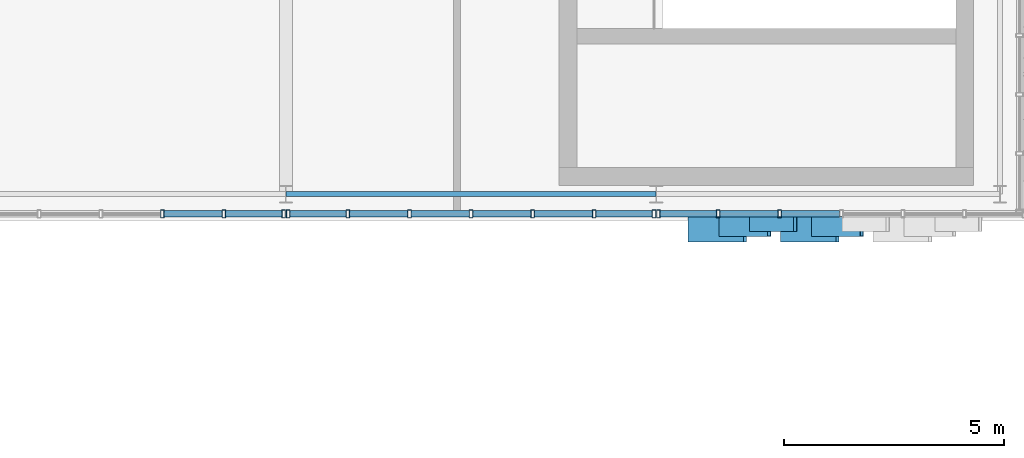
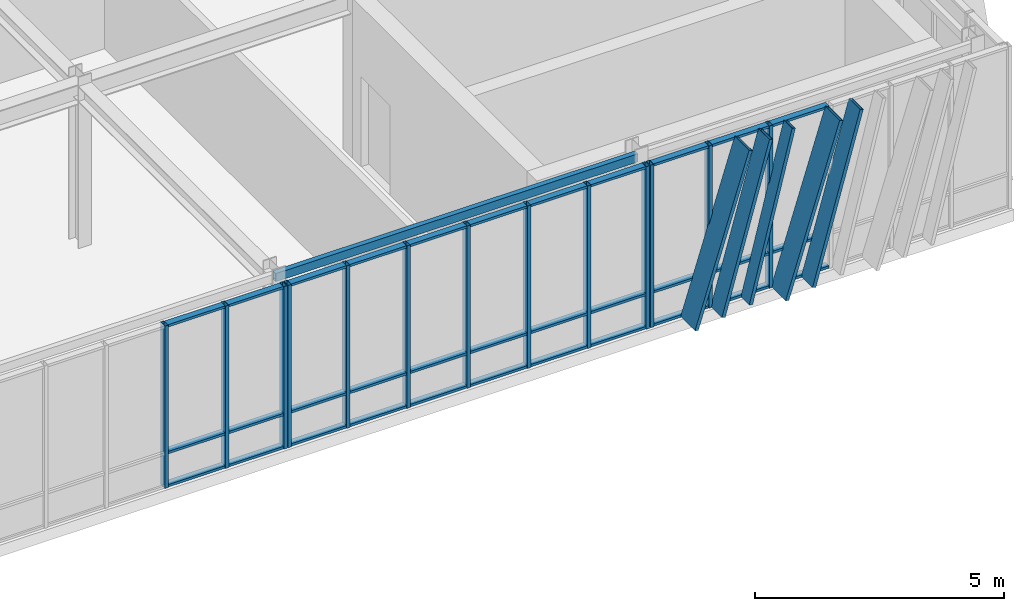
# One storey, part 25 of 123: 51 members, 1 beam, 3 elements without a shape of their own.
"""IFC4 building model written with IfcOpenShell, lengths in metres."""

from ifc_helpers import new_model, si_unit, direction, frame, origin, origin_2d, place, context, subcontext, project, spatial, hollow_rectangle, extrude, material, layer, layer_set, material_profile, profile_set, type_object, element, aggregate, save


model = new_model("IFC4")

# Units and contexts
model_context = context("Model", 3, precision=1e-05, world=origin(), true_north=direction((0.0, 1.0)))
body_context = subcontext(model_context, "Body", "Model", "MODEL_VIEW")
ifc_project = project(units=[si_unit("LENGTHUNIT", "METRE"), si_unit("AREAUNIT", "SQUARE_METRE"), si_unit("VOLUMEUNIT", "CUBIC_METRE"), si_unit("PLANEANGLEUNIT", "RADIAN"), si_unit("MASSUNIT", "GRAM", prefix="KILO")], contexts=[model_context])

# Site, building, storey
site_placement = place(None, origin())
site = spatial("IfcSite", under=ifc_project, at=site_placement, CompositionType="ELEMENT")
building_placement = place(site_placement, origin())
building = spatial("IfcBuilding", under=site, at=building_placement, Name="Zayran Congress Hotel", CompositionType="ELEMENT")
storey_placement = place(building_placement, frame((0.0, 0.0, 15.0)))
storey = spatial("IfcBuildingStorey", under=building, at=storey_placement, Name="L03", CompositionType="ELEMENT", Elevation=15.0)

# Beam
ifc_material_1 = material(Name="Steel S355", Category="steel")
ifc_material_profile_1 = material_profile(ifc_material_1, hollow_rectangle(XDim=0.1201171875, YDim=0.199951171875, WallThickness=0.008056640625, at=origin_2d()), Name="RHS 200x120x8")
ifc_profile_set_1 = profile_set([ifc_material_profile_1], Name="Steel S355")
beam_type = type_object("IfcBeamType", Name="TP-SP-02", PredefinedType="SPANDREL", material=ifc_profile_set_1)
beam_placement = place(storey_placement, frame((75.60009765625, 68.199951171875, 3.8798828125), z_axis=(1.0, 0.0, 0.0), x_axis=(0.0, 1.0, 0.0)))
element("IfcBeam", 1, at=beam_placement, inside=storey, type_object=beam_type, Name="BM-V1-L03-0799", PredefinedType="SPANDREL", context=body_context, shape_type="SweptSolid", body=[
    extrude(hollow_rectangle(XDim=0.1201171875, YDim=0.199951171875, WallThickness=0.008056640625, at=origin_2d()), origin(), (0.0, 0.0, 1.0), 8.39990234375),
])

# Curtain wall, members
ifc_material_2 = material(Name="Anodised aluminium and low-E insulated glass", Category="aluminium")
ifc_layer_1 = layer(ifc_material_2, 0.179931640625)
ifc_layer_set_1 = layer_set([ifc_layer_1], Name="Anodised aluminium and low-E insulated glass")
curtain_wall_type_1 = type_object("IfcCurtainWallType", Name="CW-V1S-L03-CW-12-8380-3980", PredefinedType="USERDEFINED", material=ifc_layer_set_1)
curtain_wall_1_placement = place(storey_placement, origin())
curtain_wall_1 = element("IfcCurtainWall", 2, at=curtain_wall_1_placement, inside=storey, type_object=curtain_wall_type_1, Name="CW-V1S-L03-7", ObjectType="CURTAIN WALL", PredefinedType="USERDEFINED")
ifc_material_3 = material(Name="Anodised aluminium framing", Category="aluminium")
ifc_material_profile_2 = material_profile(ifc_material_3, hollow_rectangle(XDim=0.080078125, YDim=0.179931640625, WallThickness=0.0048828125, at=origin_2d()), Name="RHS 180x80x5")
ifc_profile_set_2 = profile_set([ifc_material_profile_2], Name="Anodised aluminium framing")
member_type_1 = type_object("IfcMemberType", Name="TP-CWM-01", PredefinedType="MULLION", material=ifc_profile_set_2)
member_1_placement = place(storey_placement, frame((72.796630859375, 67.75, 0.0), z_axis=(0.0, 0.0, 1.0), x_axis=(1.0, 0.0, 0.0)))
member_1 = element("IfcMember", 3, at=member_1_placement, type_object=member_type_1, Name="CW-V1S-L03-7-M04", PredefinedType="MULLION", context=body_context, shape_type="SweptSolid", body=[
    extrude(hollow_rectangle(XDim=0.080078125, YDim=0.179931640625, WallThickness=0.0048828125, at=origin_2d()), origin(), (0.0, 0.0, 1.0), 3.97998046875),
])
member_2_placement = place(storey_placement, frame((74.193359375, 67.75, 0.0), z_axis=(0.0, 0.0, 1.0), x_axis=(1.0, 0.0, 0.0)))
member_2 = element("IfcMember", 4, at=member_2_placement, type_object=member_type_1, Name="CW-V1S-L03-7-M05", PredefinedType="MULLION", context=body_context, shape_type="SweptSolid", body=[
    extrude(hollow_rectangle(XDim=0.080078125, YDim=0.179931640625, WallThickness=0.0048828125, at=origin_2d()), origin(), (0.0, 0.0, 1.0), 3.97998046875),
])
member_3_placement = place(storey_placement, frame((75.550048828125, 67.75, 0.0), z_axis=(0.0, 0.0, 1.0), x_axis=(1.0, 0.0, 0.0)))
member_3 = element("IfcMember", 5, at=member_3_placement, type_object=member_type_1, Name="CW-V1S-L03-7-M06", PredefinedType="MULLION", context=body_context, shape_type="SweptSolid", body=[
    extrude(hollow_rectangle(XDim=0.080078125, YDim=0.179931640625, WallThickness=0.0048828125, at=origin_2d()), origin(), (0.0, 0.0, 1.0), 3.97998046875),
])

ifc_layer_2 = layer(ifc_material_2, 0.179931640625)
ifc_layer_set_2 = layer_set([ifc_layer_2], Name="Anodised aluminium and low-E insulated glass")
curtain_wall_type_2 = type_object("IfcCurtainWallType", Name="CW-V1S-L03-CW-13-8380-3980", PredefinedType="USERDEFINED", material=ifc_layer_set_2)
curtain_wall_2_placement = place(storey_placement, origin())
curtain_wall_2 = element("IfcCurtainWall", 6, at=curtain_wall_2_placement, inside=storey, type_object=curtain_wall_type_2, Name="CW-V1S-L03-8", ObjectType="CURTAIN WALL", PredefinedType="USERDEFINED")
member_4_placement = place(storey_placement, frame((75.64990234375, 67.75, 0.0), z_axis=(0.0, 0.0, 1.0), x_axis=(1.0, 0.0, 0.0)))
member_4 = element("IfcMember", 7, at=member_4_placement, type_object=member_type_1, Name="CW-V1S-L03-8-M00", PredefinedType="MULLION", context=body_context, shape_type="SweptSolid", body=[
    extrude(hollow_rectangle(XDim=0.080078125, YDim=0.179931640625, WallThickness=0.0048828125, at=origin_2d()), origin(), (0.0, 0.0, 1.0), 3.97998046875),
])
member_5_placement = place(storey_placement, frame((77.006591796875, 67.75, 0.0), z_axis=(0.0, 0.0, 1.0), x_axis=(1.0, 0.0, 0.0)))
member_5 = element("IfcMember", 8, at=member_5_placement, type_object=member_type_1, Name="CW-V1S-L03-8-M01", PredefinedType="MULLION", context=body_context, shape_type="SweptSolid", body=[
    extrude(hollow_rectangle(XDim=0.080078125, YDim=0.179931640625, WallThickness=0.0048828125, at=origin_2d()), origin(), (0.0, 0.0, 1.0), 3.97998046875),
])
member_6_placement = place(storey_placement, frame((78.4033203125, 67.75, 0.0), z_axis=(0.0, 0.0, 1.0), x_axis=(1.0, 0.0, 0.0)))
member_6 = element("IfcMember", 9, at=member_6_placement, type_object=member_type_1, Name="CW-V1S-L03-8-M02", PredefinedType="MULLION", context=body_context, shape_type="SweptSolid", body=[
    extrude(hollow_rectangle(XDim=0.080078125, YDim=0.179931640625, WallThickness=0.0048828125, at=origin_2d()), origin(), (0.0, 0.0, 1.0), 3.97998046875),
])
member_7_placement = place(storey_placement, frame((79.800048828125, 67.75, 0.0), z_axis=(0.0, 0.0, 1.0), x_axis=(1.0, 0.0, 0.0)))
member_7 = element("IfcMember", 10, at=member_7_placement, type_object=member_type_1, Name="CW-V1S-L03-8-M03", PredefinedType="MULLION", context=body_context, shape_type="SweptSolid", body=[
    extrude(hollow_rectangle(XDim=0.080078125, YDim=0.179931640625, WallThickness=0.0048828125, at=origin_2d()), origin(), (0.0, 0.0, 1.0), 3.97998046875),
])
member_8_placement = place(storey_placement, frame((81.19677734375, 67.75, 0.0), z_axis=(0.0, 0.0, 1.0), x_axis=(1.0, 0.0, 0.0)))
member_8 = element("IfcMember", 11, at=member_8_placement, type_object=member_type_1, Name="CW-V1S-L03-8-M04", PredefinedType="MULLION", context=body_context, shape_type="SweptSolid", body=[
    extrude(hollow_rectangle(XDim=0.080078125, YDim=0.179931640625, WallThickness=0.0048828125, at=origin_2d()), origin(), (0.0, 0.0, 1.0), 3.97998046875),
])
member_9_placement = place(storey_placement, frame((82.59326171875, 67.75, 0.0), z_axis=(0.0, 0.0, 1.0), x_axis=(1.0, 0.0, 0.0)))
member_9 = element("IfcMember", 12, at=member_9_placement, type_object=member_type_1, Name="CW-V1S-L03-8-M05", PredefinedType="MULLION", context=body_context, shape_type="SweptSolid", body=[
    extrude(hollow_rectangle(XDim=0.080078125, YDim=0.179931640625, WallThickness=0.0048828125, at=origin_2d()), origin(), (0.0, 0.0, 1.0), 3.97998046875),
])
member_10_placement = place(storey_placement, frame((83.949951171875, 67.75, 0.0), z_axis=(0.0, 0.0, 1.0), x_axis=(1.0, 0.0, 0.0)))
member_10 = element("IfcMember", 13, at=member_10_placement, type_object=member_type_1, Name="CW-V1S-L03-8-M06", PredefinedType="MULLION", context=body_context, shape_type="SweptSolid", body=[
    extrude(hollow_rectangle(XDim=0.080078125, YDim=0.179931640625, WallThickness=0.0048828125, at=origin_2d()), origin(), (0.0, 0.0, 1.0), 3.97998046875),
])

ifc_layer_3 = layer(ifc_material_2, 0.179931640625)
ifc_layer_set_3 = layer_set([ifc_layer_3], Name="Anodised aluminium and low-E insulated glass")
curtain_wall_type_3 = type_object("IfcCurtainWallType", Name="CW-V1S-L03-CW-11-8380-3980", PredefinedType="USERDEFINED", material=ifc_layer_set_3)
curtain_wall_3_placement = place(storey_placement, origin())
curtain_wall_3 = element("IfcCurtainWall", 14, at=curtain_wall_3_placement, inside=storey, type_object=curtain_wall_type_3, Name="CW-V1S-L03-9", ObjectType="CURTAIN WALL", PredefinedType="USERDEFINED")
member_11_placement = place(storey_placement, frame((84.050048828125, 67.75, 0.0), z_axis=(0.0, 0.0, 1.0), x_axis=(1.0, 0.0, 0.0)))
member_11 = element("IfcMember", 15, at=member_11_placement, type_object=member_type_1, Name="CW-V1S-L03-9-M00", PredefinedType="MULLION", context=body_context, shape_type="SweptSolid", body=[
    extrude(hollow_rectangle(XDim=0.080078125, YDim=0.179931640625, WallThickness=0.0048828125, at=origin_2d()), origin(), (0.0, 0.0, 1.0), 3.97998046875),
])
member_12_placement = place(storey_placement, frame((85.40673828125, 67.75, 0.0), z_axis=(0.0, 0.0, 1.0), x_axis=(1.0, 0.0, 0.0)))
member_12 = element("IfcMember", 16, at=member_12_placement, type_object=member_type_1, Name="CW-V1S-L03-9-M01", PredefinedType="MULLION", context=body_context, shape_type="SweptSolid", body=[
    extrude(hollow_rectangle(XDim=0.080078125, YDim=0.179931640625, WallThickness=0.0048828125, at=origin_2d()), origin(), (0.0, 0.0, 1.0), 3.97998046875),
])
member_13_placement = place(storey_placement, frame((86.80322265625, 67.75, 0.0), z_axis=(0.0, 0.0, 1.0), x_axis=(1.0, 0.0, 0.0)))
member_13 = element("IfcMember", 17, at=member_13_placement, type_object=member_type_1, Name="CW-V1S-L03-9-M02", PredefinedType="MULLION", context=body_context, shape_type="SweptSolid", body=[
    extrude(hollow_rectangle(XDim=0.080078125, YDim=0.179931640625, WallThickness=0.0048828125, at=origin_2d()), origin(), (0.0, 0.0, 1.0), 3.97998046875),
])

# Member
ifc_material_profile_3 = material_profile(ifc_material_3, hollow_rectangle(XDim=0.06005859375, YDim=0.14990234375, WallThickness=0.00390625, at=origin_2d()), Name="RHS 150x60x4")
ifc_profile_set_3 = profile_set([ifc_material_profile_3], Name="Anodised aluminium framing")
member_type_2 = type_object("IfcMemberType", Name="TP-CWT-01", PredefinedType="USERDEFINED", material=ifc_profile_set_3)
member_14_placement = place(storey_placement, frame((72.836669921875, 67.75, 0.030029296875), z_axis=(1.0, 0.0, 0.0), x_axis=(0.0, 0.0, 1.0)))
member_14 = element("IfcMember", 18, at=member_14_placement, type_object=member_type_2, Name="CW-V1S-L03-7-T04-0", ObjectType="TRANSOM", PredefinedType="USERDEFINED", context=body_context, shape_type="SweptSolid", body=[
    extrude(hollow_rectangle(XDim=0.06005859375, YDim=0.14990234375, WallThickness=0.00390625, at=origin_2d()), origin(), (0.0, 0.0, 1.0), 1.316650390625),
])

member_15_placement = place(storey_placement, frame((72.836669921875, 67.75, 0.840087890625), z_axis=(1.0, 0.0, 0.0), x_axis=(0.0, 0.0, 1.0)))
member_15 = element("IfcMember", 19, at=member_15_placement, type_object=member_type_2, Name="CW-V1S-L03-7-T04-1", ObjectType="TRANSOM", PredefinedType="USERDEFINED", context=body_context, shape_type="SweptSolid", body=[
    extrude(hollow_rectangle(XDim=0.06005859375, YDim=0.14990234375, WallThickness=0.00390625, at=origin_2d()), origin(), (0.0, 0.0, 1.0), 1.316650390625),
])

member_16_placement = place(storey_placement, frame((72.836669921875, 67.75, 3.949951171875), z_axis=(1.0, 0.0, 0.0), x_axis=(0.0, 0.0, 1.0)))
member_16 = element("IfcMember", 20, at=member_16_placement, type_object=member_type_2, Name="CW-V1S-L03-7-T04-2", ObjectType="TRANSOM", PredefinedType="USERDEFINED", context=body_context, shape_type="SweptSolid", body=[
    extrude(hollow_rectangle(XDim=0.06005859375, YDim=0.14990234375, WallThickness=0.00390625, at=origin_2d()), origin(), (0.0, 0.0, 1.0), 1.316650390625),
])

member_17_placement = place(storey_placement, frame((74.2333984375, 67.75, 0.030029296875), z_axis=(1.0, 0.0, 0.0), x_axis=(0.0, 0.0, 1.0)))
member_17 = element("IfcMember", 21, at=member_17_placement, type_object=member_type_2, Name="CW-V1S-L03-7-T05-0", ObjectType="TRANSOM", PredefinedType="USERDEFINED", context=body_context, shape_type="SweptSolid", body=[
    extrude(hollow_rectangle(XDim=0.06005859375, YDim=0.14990234375, WallThickness=0.00390625, at=origin_2d()), origin(), (0.0, 0.0, 1.0), 1.276611328125),
])

member_18_placement = place(storey_placement, frame((74.2333984375, 67.75, 0.840087890625), z_axis=(1.0, 0.0, 0.0), x_axis=(0.0, 0.0, 1.0)))
member_18 = element("IfcMember", 22, at=member_18_placement, type_object=member_type_2, Name="CW-V1S-L03-7-T05-1", ObjectType="TRANSOM", PredefinedType="USERDEFINED", context=body_context, shape_type="SweptSolid", body=[
    extrude(hollow_rectangle(XDim=0.06005859375, YDim=0.14990234375, WallThickness=0.00390625, at=origin_2d()), origin(), (0.0, 0.0, 1.0), 1.276611328125),
])

member_19_placement = place(storey_placement, frame((74.2333984375, 67.75, 3.949951171875), z_axis=(1.0, 0.0, 0.0), x_axis=(0.0, 0.0, 1.0)))
member_19 = element("IfcMember", 23, at=member_19_placement, type_object=member_type_2, Name="CW-V1S-L03-7-T05-2", ObjectType="TRANSOM", PredefinedType="USERDEFINED", context=body_context, shape_type="SweptSolid", body=[
    extrude(hollow_rectangle(XDim=0.06005859375, YDim=0.14990234375, WallThickness=0.00390625, at=origin_2d()), origin(), (0.0, 0.0, 1.0), 1.276611328125),
])

aggregate(curtain_wall_1, [member_1, member_2, member_3, member_14, member_15, member_16, member_17, member_18, member_19])

member_20_placement = place(storey_placement, frame((75.68994140625, 67.75, 0.030029296875), z_axis=(1.0, 0.0, 0.0), x_axis=(0.0, 0.0, 1.0)))
member_20 = element("IfcMember", 24, at=member_20_placement, type_object=member_type_2, Name="CW-V1S-L03-8-T00-0", ObjectType="TRANSOM", PredefinedType="USERDEFINED", context=body_context, shape_type="SweptSolid", body=[
    extrude(hollow_rectangle(XDim=0.06005859375, YDim=0.14990234375, WallThickness=0.00390625, at=origin_2d()), origin(), (0.0, 0.0, 1.0), 1.27685546875),
])

member_21_placement = place(storey_placement, frame((75.68994140625, 67.75, 0.840087890625), z_axis=(1.0, 0.0, 0.0), x_axis=(0.0, 0.0, 1.0)))
member_21 = element("IfcMember", 25, at=member_21_placement, type_object=member_type_2, Name="CW-V1S-L03-8-T00-1", ObjectType="TRANSOM", PredefinedType="USERDEFINED", context=body_context, shape_type="SweptSolid", body=[
    extrude(hollow_rectangle(XDim=0.06005859375, YDim=0.14990234375, WallThickness=0.00390625, at=origin_2d()), origin(), (0.0, 0.0, 1.0), 1.27685546875),
])

member_22_placement = place(storey_placement, frame((75.68994140625, 67.75, 3.949951171875), z_axis=(1.0, 0.0, 0.0), x_axis=(0.0, 0.0, 1.0)))
member_22 = element("IfcMember", 26, at=member_22_placement, type_object=member_type_2, Name="CW-V1S-L03-8-T00-2", ObjectType="TRANSOM", PredefinedType="USERDEFINED", context=body_context, shape_type="SweptSolid", body=[
    extrude(hollow_rectangle(XDim=0.06005859375, YDim=0.14990234375, WallThickness=0.00390625, at=origin_2d()), origin(), (0.0, 0.0, 1.0), 1.27685546875),
])

member_23_placement = place(storey_placement, frame((77.046630859375, 67.75, 0.030029296875), z_axis=(1.0, 0.0, 0.0), x_axis=(0.0, 0.0, 1.0)))
member_23 = element("IfcMember", 27, at=member_23_placement, type_object=member_type_2, Name="CW-V1S-L03-8-T01-0", ObjectType="TRANSOM", PredefinedType="USERDEFINED", context=body_context, shape_type="SweptSolid", body=[
    extrude(hollow_rectangle(XDim=0.06005859375, YDim=0.14990234375, WallThickness=0.00390625, at=origin_2d()), origin(), (0.0, 0.0, 1.0), 1.316650390625),
])

member_24_placement = place(storey_placement, frame((77.046630859375, 67.75, 0.840087890625), z_axis=(1.0, 0.0, 0.0), x_axis=(0.0, 0.0, 1.0)))
member_24 = element("IfcMember", 28, at=member_24_placement, type_object=member_type_2, Name="CW-V1S-L03-8-T01-1", ObjectType="TRANSOM", PredefinedType="USERDEFINED", context=body_context, shape_type="SweptSolid", body=[
    extrude(hollow_rectangle(XDim=0.06005859375, YDim=0.14990234375, WallThickness=0.00390625, at=origin_2d()), origin(), (0.0, 0.0, 1.0), 1.316650390625),
])

member_25_placement = place(storey_placement, frame((77.046630859375, 67.75, 3.949951171875), z_axis=(1.0, 0.0, 0.0), x_axis=(0.0, 0.0, 1.0)))
member_25 = element("IfcMember", 29, at=member_25_placement, type_object=member_type_2, Name="CW-V1S-L03-8-T01-2", ObjectType="TRANSOM", PredefinedType="USERDEFINED", context=body_context, shape_type="SweptSolid", body=[
    extrude(hollow_rectangle(XDim=0.06005859375, YDim=0.14990234375, WallThickness=0.00390625, at=origin_2d()), origin(), (0.0, 0.0, 1.0), 1.316650390625),
])

member_26_placement = place(storey_placement, frame((78.443359375, 67.75, 0.030029296875), z_axis=(1.0, 0.0, 0.0), x_axis=(0.0, 0.0, 1.0)))
member_26 = element("IfcMember", 30, at=member_26_placement, type_object=member_type_2, Name="CW-V1S-L03-8-T02-0", ObjectType="TRANSOM", PredefinedType="USERDEFINED", context=body_context, shape_type="SweptSolid", body=[
    extrude(hollow_rectangle(XDim=0.06005859375, YDim=0.14990234375, WallThickness=0.00390625, at=origin_2d()), origin(), (0.0, 0.0, 1.0), 1.316650390625),
])

member_27_placement = place(storey_placement, frame((78.443359375, 67.75, 0.840087890625), z_axis=(1.0, 0.0, 0.0), x_axis=(0.0, 0.0, 1.0)))
member_27 = element("IfcMember", 31, at=member_27_placement, type_object=member_type_2, Name="CW-V1S-L03-8-T02-1", ObjectType="TRANSOM", PredefinedType="USERDEFINED", context=body_context, shape_type="SweptSolid", body=[
    extrude(hollow_rectangle(XDim=0.06005859375, YDim=0.14990234375, WallThickness=0.00390625, at=origin_2d()), origin(), (0.0, 0.0, 1.0), 1.316650390625),
])

member_28_placement = place(storey_placement, frame((78.443359375, 67.75, 3.949951171875), z_axis=(1.0, 0.0, 0.0), x_axis=(0.0, 0.0, 1.0)))
member_28 = element("IfcMember", 32, at=member_28_placement, type_object=member_type_2, Name="CW-V1S-L03-8-T02-2", ObjectType="TRANSOM", PredefinedType="USERDEFINED", context=body_context, shape_type="SweptSolid", body=[
    extrude(hollow_rectangle(XDim=0.06005859375, YDim=0.14990234375, WallThickness=0.00390625, at=origin_2d()), origin(), (0.0, 0.0, 1.0), 1.316650390625),
])

member_29_placement = place(storey_placement, frame((79.840087890625, 67.75, 0.030029296875), z_axis=(1.0, 0.0, 0.0), x_axis=(0.0, 0.0, 1.0)))
member_29 = element("IfcMember", 33, at=member_29_placement, type_object=member_type_2, Name="CW-V1S-L03-8-T03-0", ObjectType="TRANSOM", PredefinedType="USERDEFINED", context=body_context, shape_type="SweptSolid", body=[
    extrude(hollow_rectangle(XDim=0.06005859375, YDim=0.14990234375, WallThickness=0.00390625, at=origin_2d()), origin(), (0.0, 0.0, 1.0), 1.316650390625),
])

member_30_placement = place(storey_placement, frame((79.840087890625, 67.75, 0.840087890625), z_axis=(1.0, 0.0, 0.0), x_axis=(0.0, 0.0, 1.0)))
member_30 = element("IfcMember", 34, at=member_30_placement, type_object=member_type_2, Name="CW-V1S-L03-8-T03-1", ObjectType="TRANSOM", PredefinedType="USERDEFINED", context=body_context, shape_type="SweptSolid", body=[
    extrude(hollow_rectangle(XDim=0.06005859375, YDim=0.14990234375, WallThickness=0.00390625, at=origin_2d()), origin(), (0.0, 0.0, 1.0), 1.316650390625),
])

member_31_placement = place(storey_placement, frame((79.840087890625, 67.75, 3.949951171875), z_axis=(1.0, 0.0, 0.0), x_axis=(0.0, 0.0, 1.0)))
member_31 = element("IfcMember", 35, at=member_31_placement, type_object=member_type_2, Name="CW-V1S-L03-8-T03-2", ObjectType="TRANSOM", PredefinedType="USERDEFINED", context=body_context, shape_type="SweptSolid", body=[
    extrude(hollow_rectangle(XDim=0.06005859375, YDim=0.14990234375, WallThickness=0.00390625, at=origin_2d()), origin(), (0.0, 0.0, 1.0), 1.316650390625),
])

member_32_placement = place(storey_placement, frame((81.23681640625, 67.75, 0.030029296875), z_axis=(1.0, 0.0, 0.0), x_axis=(0.0, 0.0, 1.0)))
member_32 = element("IfcMember", 36, at=member_32_placement, type_object=member_type_2, Name="CW-V1S-L03-8-T04-0", ObjectType="TRANSOM", PredefinedType="USERDEFINED", context=body_context, shape_type="SweptSolid", body=[
    extrude(hollow_rectangle(XDim=0.06005859375, YDim=0.14990234375, WallThickness=0.00390625, at=origin_2d()), origin(), (0.0, 0.0, 1.0), 1.31640625),
])

member_33_placement = place(storey_placement, frame((81.23681640625, 67.75, 0.840087890625), z_axis=(1.0, 0.0, 0.0), x_axis=(0.0, 0.0, 1.0)))
member_33 = element("IfcMember", 37, at=member_33_placement, type_object=member_type_2, Name="CW-V1S-L03-8-T04-1", ObjectType="TRANSOM", PredefinedType="USERDEFINED", context=body_context, shape_type="SweptSolid", body=[
    extrude(hollow_rectangle(XDim=0.06005859375, YDim=0.14990234375, WallThickness=0.00390625, at=origin_2d()), origin(), (0.0, 0.0, 1.0), 1.31640625),
])

member_34_placement = place(storey_placement, frame((81.23681640625, 67.75, 3.949951171875), z_axis=(1.0, 0.0, 0.0), x_axis=(0.0, 0.0, 1.0)))
member_34 = element("IfcMember", 38, at=member_34_placement, type_object=member_type_2, Name="CW-V1S-L03-8-T04-2", ObjectType="TRANSOM", PredefinedType="USERDEFINED", context=body_context, shape_type="SweptSolid", body=[
    extrude(hollow_rectangle(XDim=0.06005859375, YDim=0.14990234375, WallThickness=0.00390625, at=origin_2d()), origin(), (0.0, 0.0, 1.0), 1.31640625),
])

member_35_placement = place(storey_placement, frame((82.63330078125, 67.75, 0.030029296875), z_axis=(1.0, 0.0, 0.0), x_axis=(0.0, 0.0, 1.0)))
member_35 = element("IfcMember", 39, at=member_35_placement, type_object=member_type_2, Name="CW-V1S-L03-8-T05-0", ObjectType="TRANSOM", PredefinedType="USERDEFINED", context=body_context, shape_type="SweptSolid", body=[
    extrude(hollow_rectangle(XDim=0.06005859375, YDim=0.14990234375, WallThickness=0.00390625, at=origin_2d()), origin(), (0.0, 0.0, 1.0), 1.276611328125),
])

member_36_placement = place(storey_placement, frame((82.63330078125, 67.75, 0.840087890625), z_axis=(1.0, 0.0, 0.0), x_axis=(0.0, 0.0, 1.0)))
member_36 = element("IfcMember", 40, at=member_36_placement, type_object=member_type_2, Name="CW-V1S-L03-8-T05-1", ObjectType="TRANSOM", PredefinedType="USERDEFINED", context=body_context, shape_type="SweptSolid", body=[
    extrude(hollow_rectangle(XDim=0.06005859375, YDim=0.14990234375, WallThickness=0.00390625, at=origin_2d()), origin(), (0.0, 0.0, 1.0), 1.276611328125),
])

member_37_placement = place(storey_placement, frame((82.63330078125, 67.75, 3.949951171875), z_axis=(1.0, 0.0, 0.0), x_axis=(0.0, 0.0, 1.0)))
member_37 = element("IfcMember", 41, at=member_37_placement, type_object=member_type_2, Name="CW-V1S-L03-8-T05-2", ObjectType="TRANSOM", PredefinedType="USERDEFINED", context=body_context, shape_type="SweptSolid", body=[
    extrude(hollow_rectangle(XDim=0.06005859375, YDim=0.14990234375, WallThickness=0.00390625, at=origin_2d()), origin(), (0.0, 0.0, 1.0), 1.276611328125),
])

aggregate(curtain_wall_2, [member_4, member_5, member_6, member_7, member_8, member_9, member_10, member_20, member_21, member_22, member_23, member_24, member_25, member_26, member_27, member_28, member_29, member_30, member_31, member_32, member_33, member_34, member_35, member_36, member_37])

member_38_placement = place(storey_placement, frame((84.090087890625, 67.75, 0.030029296875), z_axis=(1.0, 0.0, 0.0), x_axis=(0.0, 0.0, 1.0)))
member_38 = element("IfcMember", 42, at=member_38_placement, type_object=member_type_2, Name="CW-V1S-L03-9-T00-0", ObjectType="TRANSOM", PredefinedType="USERDEFINED", context=body_context, shape_type="SweptSolid", body=[
    extrude(hollow_rectangle(XDim=0.06005859375, YDim=0.14990234375, WallThickness=0.00390625, at=origin_2d()), origin(), (0.0, 0.0, 1.0), 1.276611328125),
])

member_39_placement = place(storey_placement, frame((84.090087890625, 67.75, 0.840087890625), z_axis=(1.0, 0.0, 0.0), x_axis=(0.0, 0.0, 1.0)))
member_39 = element("IfcMember", 43, at=member_39_placement, type_object=member_type_2, Name="CW-V1S-L03-9-T00-1", ObjectType="TRANSOM", PredefinedType="USERDEFINED", context=body_context, shape_type="SweptSolid", body=[
    extrude(hollow_rectangle(XDim=0.06005859375, YDim=0.14990234375, WallThickness=0.00390625, at=origin_2d()), origin(), (0.0, 0.0, 1.0), 1.276611328125),
])

member_40_placement = place(storey_placement, frame((84.090087890625, 67.75, 3.949951171875), z_axis=(1.0, 0.0, 0.0), x_axis=(0.0, 0.0, 1.0)))
member_40 = element("IfcMember", 44, at=member_40_placement, type_object=member_type_2, Name="CW-V1S-L03-9-T00-2", ObjectType="TRANSOM", PredefinedType="USERDEFINED", context=body_context, shape_type="SweptSolid", body=[
    extrude(hollow_rectangle(XDim=0.06005859375, YDim=0.14990234375, WallThickness=0.00390625, at=origin_2d()), origin(), (0.0, 0.0, 1.0), 1.276611328125),
])

member_41_placement = place(storey_placement, frame((85.44677734375, 67.75, 0.030029296875), z_axis=(1.0, 0.0, 0.0), x_axis=(0.0, 0.0, 1.0)))
member_41 = element("IfcMember", 45, at=member_41_placement, type_object=member_type_2, Name="CW-V1S-L03-9-T01-0", ObjectType="TRANSOM", PredefinedType="USERDEFINED", context=body_context, shape_type="SweptSolid", body=[
    extrude(hollow_rectangle(XDim=0.06005859375, YDim=0.14990234375, WallThickness=0.00390625, at=origin_2d()), origin(), (0.0, 0.0, 1.0), 1.31640625),
])

member_42_placement = place(storey_placement, frame((85.44677734375, 67.75, 0.840087890625), z_axis=(1.0, 0.0, 0.0), x_axis=(0.0, 0.0, 1.0)))
member_42 = element("IfcMember", 46, at=member_42_placement, type_object=member_type_2, Name="CW-V1S-L03-9-T01-1", ObjectType="TRANSOM", PredefinedType="USERDEFINED", context=body_context, shape_type="SweptSolid", body=[
    extrude(hollow_rectangle(XDim=0.06005859375, YDim=0.14990234375, WallThickness=0.00390625, at=origin_2d()), origin(), (0.0, 0.0, 1.0), 1.31640625),
])

member_43_placement = place(storey_placement, frame((85.44677734375, 67.75, 3.949951171875), z_axis=(1.0, 0.0, 0.0), x_axis=(0.0, 0.0, 1.0)))
member_43 = element("IfcMember", 47, at=member_43_placement, type_object=member_type_2, Name="CW-V1S-L03-9-T01-2", ObjectType="TRANSOM", PredefinedType="USERDEFINED", context=body_context, shape_type="SweptSolid", body=[
    extrude(hollow_rectangle(XDim=0.06005859375, YDim=0.14990234375, WallThickness=0.00390625, at=origin_2d()), origin(), (0.0, 0.0, 1.0), 1.31640625),
])

member_44_placement = place(storey_placement, frame((86.84326171875, 67.75, 0.030029296875), z_axis=(1.0, 0.0, 0.0), x_axis=(0.0, 0.0, 1.0)))
member_44 = element("IfcMember", 48, at=member_44_placement, type_object=member_type_2, Name="CW-V1S-L03-9-T02-0", ObjectType="TRANSOM", PredefinedType="USERDEFINED", context=body_context, shape_type="SweptSolid", body=[
    extrude(hollow_rectangle(XDim=0.06005859375, YDim=0.14990234375, WallThickness=0.00390625, at=origin_2d()), origin(), (0.0, 0.0, 1.0), 1.316650390625),
])

member_45_placement = place(storey_placement, frame((86.84326171875, 67.75, 0.840087890625), z_axis=(1.0, 0.0, 0.0), x_axis=(0.0, 0.0, 1.0)))
member_45 = element("IfcMember", 49, at=member_45_placement, type_object=member_type_2, Name="CW-V1S-L03-9-T02-1", ObjectType="TRANSOM", PredefinedType="USERDEFINED", context=body_context, shape_type="SweptSolid", body=[
    extrude(hollow_rectangle(XDim=0.06005859375, YDim=0.14990234375, WallThickness=0.00390625, at=origin_2d()), origin(), (0.0, 0.0, 1.0), 1.316650390625),
])

member_46_placement = place(storey_placement, frame((86.84326171875, 67.75, 3.949951171875), z_axis=(1.0, 0.0, 0.0), x_axis=(0.0, 0.0, 1.0)))
member_46 = element("IfcMember", 50, at=member_46_placement, type_object=member_type_2, Name="CW-V1S-L03-9-T02-2", ObjectType="TRANSOM", PredefinedType="USERDEFINED", context=body_context, shape_type="SweptSolid", body=[
    extrude(hollow_rectangle(XDim=0.06005859375, YDim=0.14990234375, WallThickness=0.00390625, at=origin_2d()), origin(), (0.0, 0.0, 1.0), 1.316650390625),
])

ifc_material_4 = material(Name="Warm bronze anodised aluminium", Category="aluminium")
ifc_material_profile_4 = material_profile(ifc_material_4, hollow_rectangle(XDim=0.080078125, YDim=0.580078125, WallThickness=0.006103515625, at=origin_2d()), Name="RHS 580x80x6")
ifc_profile_set_4 = profile_set([ifc_material_profile_4], Name="Warm bronze anodised aluminium")
member_type_3 = type_object("IfcMemberType", Name="TP-RFN-01", PredefinedType="MULLION", material=ifc_profile_set_4)
member_47_placement = place(storey_placement, frame((84.760009765625, 67.39990234375, 0.0), z_axis=(0.300705753938, 0.0, 0.953716965115), x_axis=(-0.953716965115, 0.0, 0.300705753938)))
member_47 = element("IfcMember", 51, at=member_47_placement, type_object=member_type_3, Name="Slanting Reed Mullion CW-11-01", PredefinedType="MULLION", context=body_context, shape_type="SweptSolid", body=[
    extrude(hollow_rectangle(XDim=0.080078125, YDim=0.580078125, WallThickness=0.006103515625, at=origin_2d()), origin(), (0.0, 0.0, 1.0), 4.173095703125),
])

member_48_placement = place(storey_placement, frame((86.860107421875, 67.39990234375, 0.0), z_axis=(0.300705753938, 0.0, 0.953716965115), x_axis=(-0.953716965115, 0.0, 0.300705753938)))
member_48 = element("IfcMember", 52, at=member_48_placement, type_object=member_type_3, Name="Slanting Reed Mullion CW-11-04", PredefinedType="MULLION", context=body_context, shape_type="SweptSolid", body=[
    extrude(hollow_rectangle(XDim=0.080078125, YDim=0.580078125, WallThickness=0.006103515625, at=origin_2d()), origin(), (0.0, 0.0, 1.0), 4.173095703125),
])

ifc_material_profile_5 = material_profile(ifc_material_4, hollow_rectangle(XDim=0.080078125, YDim=0.449951171875, WallThickness=0.006103515625, at=origin_2d()), Name="RHS 450x80x6")
ifc_profile_set_5 = profile_set([ifc_material_profile_5], Name="Warm bronze anodised aluminium")
member_type_4 = type_object("IfcMemberType", Name="TP-RFN-02", PredefinedType="MULLION", material=ifc_profile_set_5)
member_49_placement = place(storey_placement, frame((85.4599609375, 67.465087890625, 0.0), z_axis=(0.267241410526, 0.0, 0.963629611677), x_axis=(-0.963629611677, 0.0, 0.267241410526)))
member_49 = element("IfcMember", 53, at=member_49_placement, type_object=member_type_4, Name="Slanting Reed Mullion CW-11-02", PredefinedType="MULLION", context=body_context, shape_type="SweptSolid", body=[
    extrude(hollow_rectangle(XDim=0.080078125, YDim=0.449951171875, WallThickness=0.006103515625, at=origin_2d()), origin(), (0.0, 0.0, 1.0), 4.130126953125),
])

member_50_placement = place(storey_placement, frame((87.56005859375, 67.465087890625, 0.0), z_axis=(0.267241410526, 0.0, 0.963629611677), x_axis=(-0.963629611677, 0.0, 0.267241410526)))
member_50 = element("IfcMember", 54, at=member_50_placement, type_object=member_type_4, Name="Slanting Reed Mullion CW-11-05", PredefinedType="MULLION", context=body_context, shape_type="SweptSolid", body=[
    extrude(hollow_rectangle(XDim=0.080078125, YDim=0.449951171875, WallThickness=0.006103515625, at=origin_2d()), origin(), (0.0, 0.0, 1.0), 4.130126953125),
])

ifc_material_profile_6 = material_profile(ifc_material_4, hollow_rectangle(XDim=0.080078125, YDim=0.340087890625, WallThickness=0.006103515625, at=origin_2d()), Name="RHS 340x80x6")
ifc_profile_set_6 = profile_set([ifc_material_profile_6], Name="Warm bronze anodised aluminium")
member_type_5 = type_object("IfcMemberType", Name="TP-RFN-03", PredefinedType="MULLION", material=ifc_profile_set_6)
member_51_placement = place(storey_placement, frame((86.159912109375, 67.52001953125, 0.0), z_axis=(0.241947386249, 0.0, 0.970289370388), x_axis=(-0.970289370388, 0.0, 0.241947386249)))
member_51 = element("IfcMember", 55, at=member_51_placement, type_object=member_type_5, Name="Slanting Reed Mullion CW-11-03", PredefinedType="MULLION", context=body_context, shape_type="SweptSolid", body=[
    extrude(hollow_rectangle(XDim=0.080078125, YDim=0.340087890625, WallThickness=0.006103515625, at=origin_2d()), origin(), (0.0, 0.0, 1.0), 4.101806640625),
])

aggregate(curtain_wall_3, [member_11, member_12, member_13, member_38, member_39, member_40, member_41, member_42, member_43, member_44, member_45, member_46, member_47, member_49, member_51, member_48, member_50])

save(model, "model.ifc")
